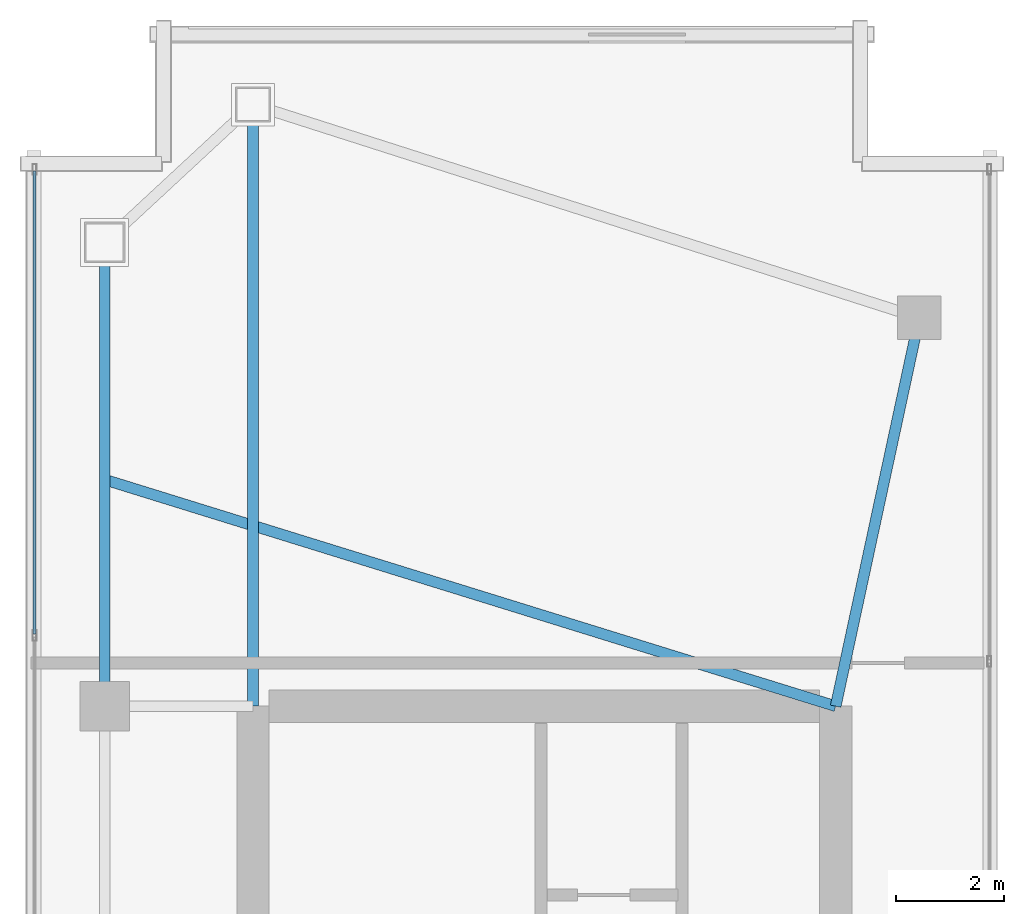
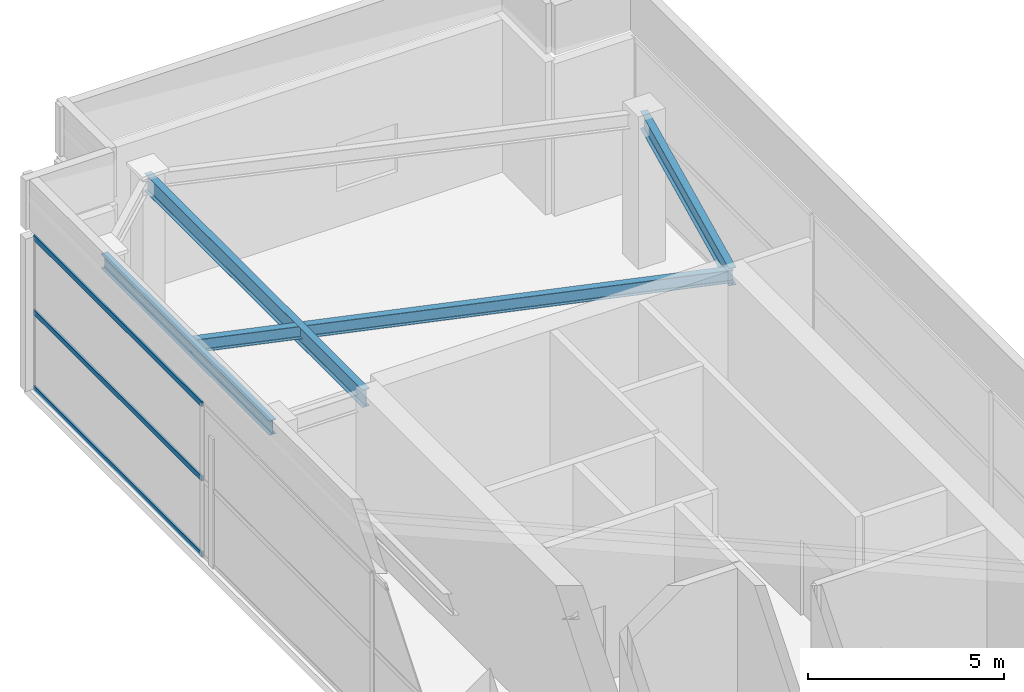
# One storey, part 14 of 20: 4 beams, 3 members, 1 element without a shape of its own.
"""IFC4 building model written with IfcOpenShell, lengths in metres."""

from ifc_helpers import new_model, si_unit, direction, frame, origin, origin_2d, place, context, subcontext, project, spatial, hollow_rectangle, i_section, extrude, material, layer, layer_set, material_profile, profile_set, type_object, element, aggregate, save


model = new_model("IFC4")

# Units and contexts
model_context = context("Model", 3, precision=1e-05, world=origin(), true_north=direction((0.0, 1.0)))
body_context = subcontext(model_context, "Body", "Model", "MODEL_VIEW")
ifc_project = project(units=[si_unit("LENGTHUNIT", "METRE"), si_unit("AREAUNIT", "SQUARE_METRE"), si_unit("VOLUMEUNIT", "CUBIC_METRE"), si_unit("PLANEANGLEUNIT", "RADIAN"), si_unit("MASSUNIT", "GRAM", prefix="KILO")], contexts=[model_context])

# Site, building, storey
site_placement = place(None, origin())
site = spatial("IfcSite", under=ifc_project, at=site_placement, CompositionType="ELEMENT")
building_placement = place(site_placement, origin())
building = spatial("IfcBuilding", under=site, at=building_placement, Name="Calvorn Quay Hotel", CompositionType="ELEMENT")
storey_placement = place(building_placement, frame((0.0, 0.0, 345.5)))
storey = spatial("IfcBuildingStorey", under=building, at=storey_placement, Name="L84", CompositionType="ELEMENT", Elevation=345.5)

# Beams
ifc_material_1 = material(Name="Steel Q355B", Category="steel")
ifc_material_profile_1 = material_profile(ifc_material_1, i_section(OverallWidth=0.199951171875, OverallDepth=0.550048828125, WebThickness=0.010009765625, FlangeThickness=0.01611328125, FilletRadius=0.01806640625, at=origin_2d()), Name="HN550x200x10x16")
ifc_profile_set_1 = profile_set([ifc_material_profile_1], Name="Steel Q355B")
beam_type_1 = type_object("IfcBeamType", Name="BM-GIRD-UPP", PredefinedType="BEAM", material=ifc_profile_set_1)
beam_1_placement = place(storey_placement, frame((4.199951171875, 49.550048828125, 4.304931640625), z_axis=(0.0, -1.0, 0.0), x_axis=(1.0, 0.0, 0.0)))
element("IfcBeam", 1, at=beam_1_placement, inside=storey, type_object=beam_type_1, Name="Beam BG-L84-W5", PredefinedType="BEAM", context=body_context, shape_type="SweptSolid", body=[
    extrude(i_section(OverallWidth=0.199951171875, OverallDepth=0.550048828125, WebThickness=0.010009765625, FlangeThickness=0.01611328125, FilletRadius=0.01806640625, at=origin_2d()), origin(), (0.0, 0.0, 1.0), 11.150146484375),
])
beam_2_placement = place(storey_placement, frame((16.550048828125, 45.60009765625, 4.304931640625), z_axis=(-0.210457140491, -0.97760308511, 0.0), x_axis=(0.97760308511, -0.210457140491, 0.0)))
element("IfcBeam", 2, at=beam_2_placement, inside=storey, type_object=beam_type_1, Name="Beam BG-L84-W6", PredefinedType="BEAM", context=body_context, shape_type="SweptSolid", body=[
    extrude(i_section(OverallWidth=0.199951171875, OverallDepth=0.550048828125, WebThickness=0.010009765625, FlangeThickness=0.01611328125, FilletRadius=0.01806640625, at=origin_2d()), origin(), (0.0, 0.0, 1.0), 7.365234375),
])
ifc_material_2 = material(Name="Steel Q355B", Category="steel")
ifc_material_profile_2 = material_profile(ifc_material_2, i_section(OverallWidth=0.199951171875, OverallDepth=0.39990234375, WebThickness=0.008056640625, FlangeThickness=0.012939453125, FilletRadius=0.01611328125, at=origin_2d()), Name="HN400x200x8x13")
ifc_profile_set_2 = profile_set([ifc_material_profile_2], Name="Steel Q355B")
beam_type_2 = type_object("IfcBeamType", Name="BM-JOIST-TYP", PredefinedType="JOIST", material=ifc_profile_set_2)
beam_3_placement = place(storey_placement, frame((1.449951171875, 42.60009765625, 4.3798828125), z_axis=(0.955163702122, -0.296078202759, 0.0), x_axis=(0.296078202759, 0.955163702122, 0.0)))
element("IfcBeam", 3, at=beam_3_placement, inside=storey, type_object=beam_type_2, Name="Beam BJ-L84-W2", PredefinedType="JOIST", context=body_context, shape_type="SweptSolid", body=[
    extrude(i_section(OverallWidth=0.199951171875, OverallDepth=0.39990234375, WebThickness=0.008056640625, FlangeThickness=0.012939453125, FilletRadius=0.01611328125, at=origin_2d()), origin(), (0.0, 0.0, 1.0), 14.18603515625),
])
ifc_material_3 = material(Name="Steel Q355B", Category="steel")
ifc_material_profile_3 = material_profile(ifc_material_3, i_section(OverallWidth=0.199951171875, OverallDepth=0.449951171875, WebThickness=0.009033203125, FlangeThickness=0.013916015625, FilletRadius=0.01611328125, at=origin_2d()), Name="HN450x200x9x14")
ifc_profile_set_3 = profile_set([ifc_material_profile_3], Name="Steel Q355B")
beam_type_3 = type_object("IfcBeamType", Name="BM-SPANDREL-Z3", PredefinedType="SPANDREL", material=ifc_profile_set_3)
beam_4_placement = place(storey_placement, frame((1.449951171875, 38.39990234375, 4.35498046875), z_axis=(0.0, 1.0, 0.0), x_axis=(-1.0, 0.0, 0.0)))
element("IfcBeam", 4, at=beam_4_placement, inside=storey, type_object=beam_type_3, Name="Beam BSP-L84-W4", PredefinedType="SPANDREL", context=body_context, shape_type="SweptSolid", body=[
    extrude(i_section(OverallWidth=0.199951171875, OverallDepth=0.449951171875, WebThickness=0.009033203125, FlangeThickness=0.013916015625, FilletRadius=0.01611328125, at=origin_2d()), origin(), (0.0, 0.0, 1.0), 8.60009765625),
])

# Curtain wall, members
ifc_material_4 = material(Name="Pale Anodised Aluminium and Laminated Glass", Category="aluminium")
ifc_layer = layer(ifc_material_4, 0.219970703125)
ifc_layer_set = layer_set([ifc_layer], Name="CW-SYS-CRN")
curtain_wall_type = type_object("IfcCurtainWallType", Name="CW-SYS-CRN", PredefinedType="NOTDEFINED", material=ifc_layer_set)
curtain_wall_placement = place(storey_placement, origin())
curtain_wall = element("IfcCurtainWall", 5, at=curtain_wall_placement, inside=storey, type_object=curtain_wall_type, Name="Crown Curtain Wall L84-C3", PredefinedType="NOTDEFINED")
ifc_material_5 = material(Name="Pale Anodised Aluminium 6063-T6", Category="aluminium")
ifc_material_profile_4 = material_profile(ifc_material_5, hollow_rectangle(XDim=0.06201171875, YDim=0.159912109375, WallThickness=0.00341796875, at=origin_2d()), Name="ALU-T160x62x3.5")
ifc_profile_set_4 = profile_set([ifc_material_profile_4], Name="Pale Anodised Aluminium 6063-T6")
member_type = type_object("IfcMemberType", Name="CW-SYS-CRN-TRN", PredefinedType="USERDEFINED", material=ifc_profile_set_4)
member_1_placement = place(storey_placement, frame((0.14990234375, 48.320068359375, 0.030029296875), z_axis=(0.0, -1.0, 0.0), x_axis=(1.0, 0.0, 0.0)))
member_1 = element("IfcMember", 6, at=member_1_placement, type_object=member_type, Name="CW-L84-C3 transom 1.1", ObjectType="TRANSOM", PredefinedType="USERDEFINED", context=body_context, shape_type="SweptSolid", body=[
    extrude(hollow_rectangle(XDim=0.06201171875, YDim=0.159912109375, WallThickness=0.00341796875, at=origin_2d()), origin(), (0.0, 0.0, 1.0), 8.58203125),
])
member_2_placement = place(storey_placement, frame((0.14990234375, 48.320068359375, 2.39990234375), z_axis=(0.0, -1.0, 0.0), x_axis=(1.0, 0.0, 0.0)))
member_2 = element("IfcMember", 7, at=member_2_placement, type_object=member_type, Name="CW-L84-C3 transom 1.2", ObjectType="TRANSOM", PredefinedType="USERDEFINED", context=body_context, shape_type="SweptSolid", body=[
    extrude(hollow_rectangle(XDim=0.06201171875, YDim=0.159912109375, WallThickness=0.00341796875, at=origin_2d()), origin(), (0.0, 0.0, 1.0), 8.58203125),
])
member_3_placement = place(storey_placement, frame((0.14990234375, 48.320068359375, 4.719970703125), z_axis=(0.0, -1.0, 0.0), x_axis=(1.0, 0.0, 0.0)))
member_3 = element("IfcMember", 8, at=member_3_placement, type_object=member_type, Name="CW-L84-C3 transom 1.3", ObjectType="TRANSOM", PredefinedType="USERDEFINED", context=body_context, shape_type="SweptSolid", body=[
    extrude(hollow_rectangle(XDim=0.06201171875, YDim=0.159912109375, WallThickness=0.00341796875, at=origin_2d()), origin(), (0.0, 0.0, 1.0), 8.58203125),
])
aggregate(curtain_wall, [member_1, member_2, member_3])

save(model, "model.ifc")
